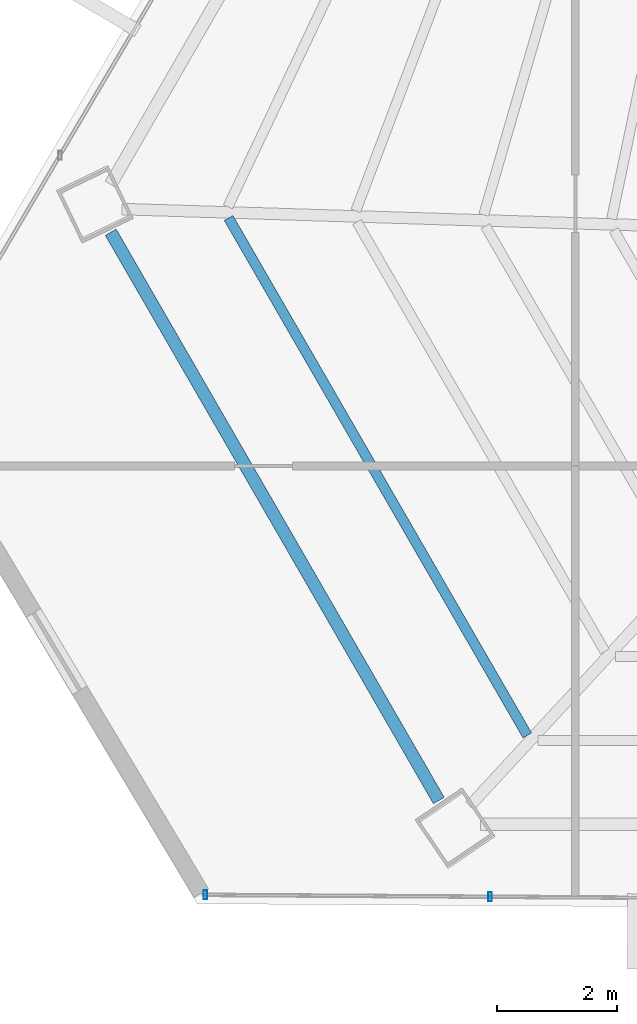
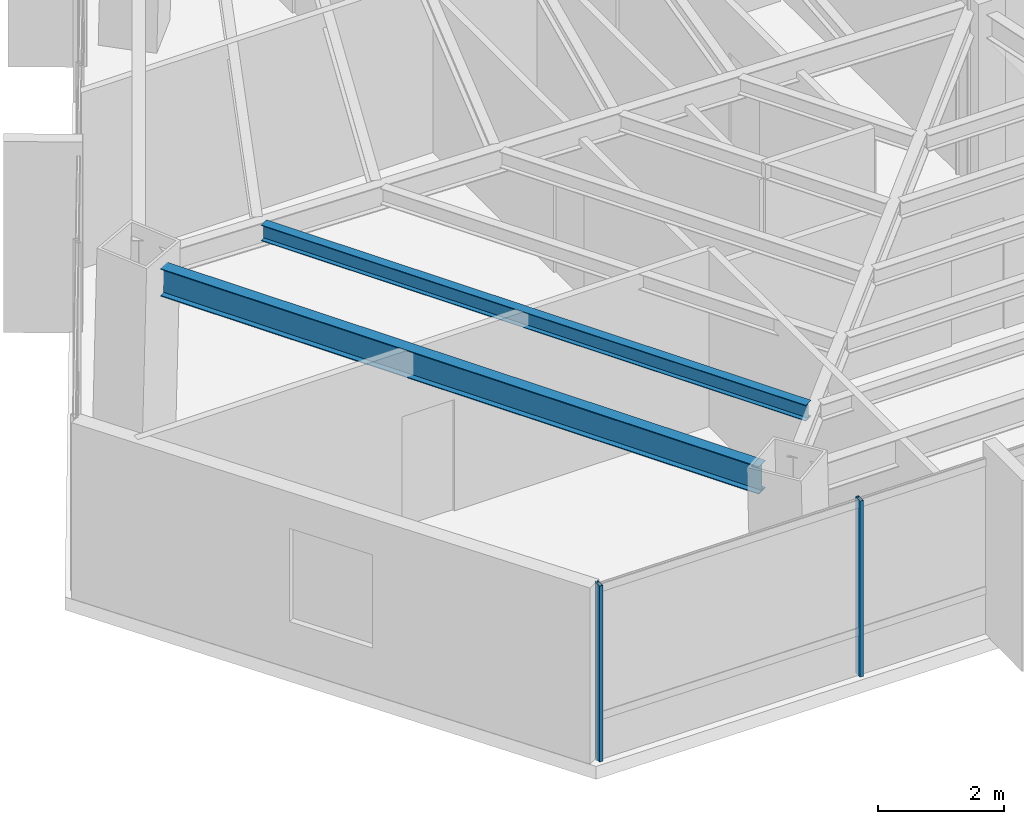
# One storey, part 2 of 41: 2 beams, 2 members, 1 element without a shape of its own.
"""IFC4 building model written with IfcOpenShell, lengths in metres."""

from ifc_helpers import new_model, si_unit, direction, frame, origin, origin_2d, place, context, subcontext, project, spatial, hollow_rectangle, i_section, extrude, source, transform, mapped, material, material_profile, profile_set, type_object, type_shapes, element, aggregate, save


model = new_model("IFC4")

# Units and contexts
model_context = context("Model", 3, precision=1e-05, world=origin(), true_north=direction((0.0, 1.0)))
body_context = subcontext(model_context, "Body", "Model", "MODEL_VIEW")
ifc_project = project(units=[si_unit("LENGTHUNIT", "METRE"), si_unit("AREAUNIT", "SQUARE_METRE"), si_unit("VOLUMEUNIT", "CUBIC_METRE"), si_unit("PLANEANGLEUNIT", "RADIAN"), si_unit("MASSUNIT", "GRAM", prefix="KILO")], contexts=[model_context])

# Site, building, storey
site_placement = place(None, origin())
site = spatial("IfcSite", under=ifc_project, at=site_placement, CompositionType="ELEMENT")
building_placement = place(site_placement, origin())
building = spatial("IfcBuilding", under=site, at=building_placement, Name="Caelisora Broadcast Tower", CompositionType="ELEMENT")
storey_placement = place(building_placement, frame((0.0, 0.0, 165.800048828125)))
storey = spatial("IfcBuildingStorey", under=building, at=storey_placement, Name="L43", CompositionType="ELEMENT", Elevation=165.800048828125)

# Beams
ifc_material_1 = material(Name="Steel Grade 350 (AS/NZS 3679.1)", Category="steel")
ifc_material_profile_1 = material_profile(ifc_material_1, i_section(OverallWidth=0.208984375, OverallDepth=0.532958984375, WebThickness=0.01025390625, FlangeThickness=0.015625, at=origin_2d()), Name="Steel Grade 350 (AS/NZS 3679.1)")
ifc_profile_set_1 = profile_set([ifc_material_profile_1], Name="Steel Grade 350 (AS/NZS 3679.1)")
beam_type_1 = type_object("IfcBeamType", Name="PG05", PredefinedType="BEAM", material=ifc_profile_set_1)
shared_shape_1 = source(origin(), body_context, "Body", "SweptSolid", [
    extrude(i_section(OverallWidth=0.208984375, OverallDepth=0.532958984375, WebThickness=0.01025390625, FlangeThickness=0.015625, at=origin_2d()), origin(), (0.0, 0.0, 1.0), 10.926025390625),
])
type_shapes(beam_type_1, [shared_shape_1])
beam_1_placement = place(storey_placement, frame((15.76416015625, 17.47021484375, 3.133544921875), z_axis=(0.500010652036, -0.866019253741, 0.0), x_axis=(0.866019253741, 0.500010652036, 0.0)))
element("IfcBeam", 1, at=beam_1_placement, inside=storey, type_object=beam_type_1, Name="L43 beam PG05", PredefinedType="BEAM", context=body_context, shape_type="MappedRepresentation", body=[
    mapped(shared_shape_1, transform((0.0, 0.0, 0.0), scale=1.0)),
])
ifc_material_profile_2 = material_profile(ifc_material_1, i_section(OverallWidth=0.166015625, OverallDepth=0.30712890625, WebThickness=0.006591796875, FlangeThickness=0.01171875, at=origin_2d()), Name="Steel Grade 350 (AS/NZS 3679.1)")
ifc_profile_set_2 = profile_set([ifc_material_profile_2], Name="Steel Grade 350 (AS/NZS 3679.1)")
beam_type_2 = type_object("IfcBeamType", Name="SB03", PredefinedType="JOIST", material=ifc_profile_set_2)
shared_shape_2 = source(origin(), body_context, "Body", "SweptSolid", [
    extrude(i_section(OverallWidth=0.166015625, OverallDepth=0.30712890625, WebThickness=0.006591796875, FlangeThickness=0.01171875, at=origin_2d()), origin(), (0.0, 0.0, 1.0), 9.947509765625),
])
type_shapes(beam_type_2, [shared_shape_2])
beam_2_placement = place(storey_placement, frame((17.726806640625, 17.70703125, 3.246337890625), z_axis=(0.49999297576, -0.866029459193, 0.0), x_axis=(0.866029459193, 0.49999297576, 0.0)))
element("IfcBeam", 2, at=beam_2_placement, inside=storey, type_object=beam_type_2, Name="L43 beam SB03", PredefinedType="JOIST", context=body_context, shape_type="MappedRepresentation", body=[
    mapped(shared_shape_2, transform((0.0, 0.0, 0.0), scale=1.0)),
])

# Curtain wall, members
ifc_material_2 = material(Name="Unitised Aluminium and Low-E Glass Curtain Wall", Category="glass")
curtain_wall_type = type_object("IfcCurtainWallType", Name="CW-Z3", PredefinedType="NOTDEFINED", material=ifc_material_2)
curtain_wall_placement = place(storey_placement, origin())
curtain_wall = element("IfcCurtainWall", 3, at=curtain_wall_placement, inside=storey, type_object=curtain_wall_type, Name="L43 curtain wall CW-Z3", PredefinedType="NOTDEFINED")
ifc_material_3 = material(Name="Aluminium 6063-T6 Anodised Terracotta Bronze", Category="aluminium")
ifc_material_profile_3 = material_profile(ifc_material_3, hollow_rectangle(XDim=0.06005859375, YDim=0.14990234375, WallThickness=0.00341796875, at=origin_2d()), Name="Aluminium 6063-T6 Anodised Terracotta Bronze")
ifc_profile_set_3 = profile_set([ifc_material_profile_3], Name="Aluminium 6063-T6 Anodised Terracotta Bronze")
member_type = type_object("IfcMemberType", Name="CWM-03", PredefinedType="MULLION", material=ifc_profile_set_3)
shared_shape_3 = source(origin(), body_context, "Body", "SweptSolid", [
    extrude(hollow_rectangle(XDim=0.06005859375, YDim=0.14990234375, WallThickness=0.00341796875, at=origin_2d()), origin(), (0.0, 0.0, 1.0), 3.39990234375),
])
type_shapes(member_type, [shared_shape_3])
member_1_placement = place(storey_placement, frame((22.081298828125, 6.406494140625, 0.0), z_axis=(0.0, 0.0, 1.0), x_axis=(1.0, 0.0, 0.0)))
member_1 = element("IfcMember", 4, at=member_1_placement, type_object=member_type, Name="L43-CW-B07 mullion #2", PredefinedType="MULLION", context=body_context, shape_type="MappedRepresentation", body=[
    mapped(shared_shape_3, transform((0.0, 0.0, 0.0), scale=1.0)),
])
member_2_placement = place(storey_placement, frame((17.340087890625, 6.437744140625, 0.0), z_axis=(0.0, 0.0, 1.0), x_axis=(1.0, 0.0, 0.0)))
member_2 = element("IfcMember", 5, at=member_2_placement, type_object=member_type, Name="L43-CW-B07 mullion #3", PredefinedType="MULLION", context=body_context, shape_type="MappedRepresentation", body=[
    mapped(shared_shape_3, transform((0.0, 0.0, 0.0), scale=1.0)),
])
aggregate(curtain_wall, [member_1, member_2])

save(model, "model.ifc")
